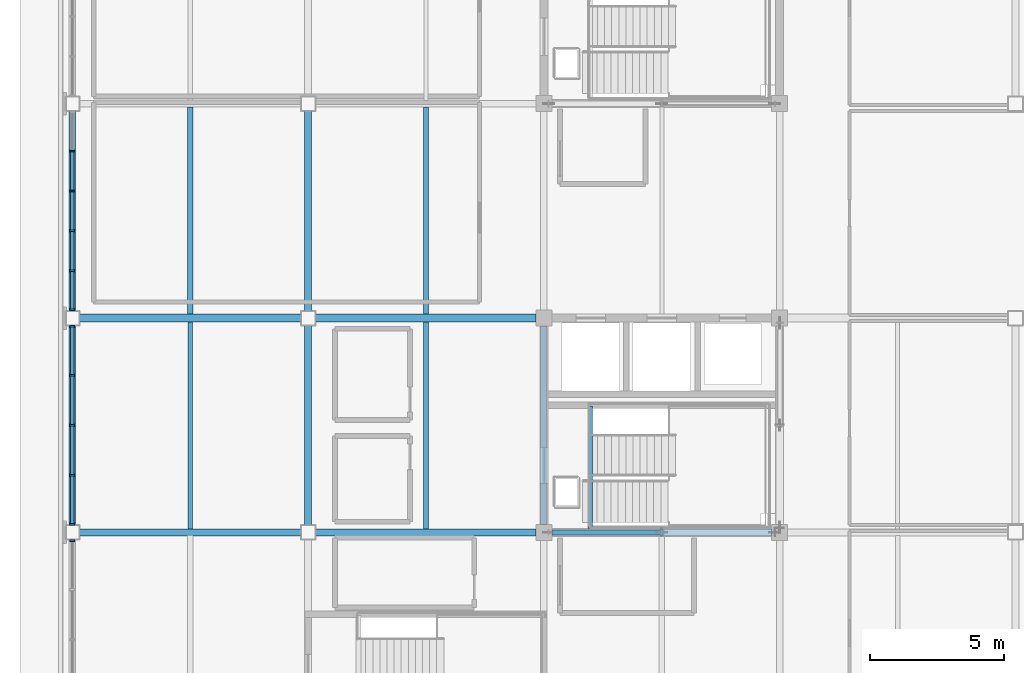
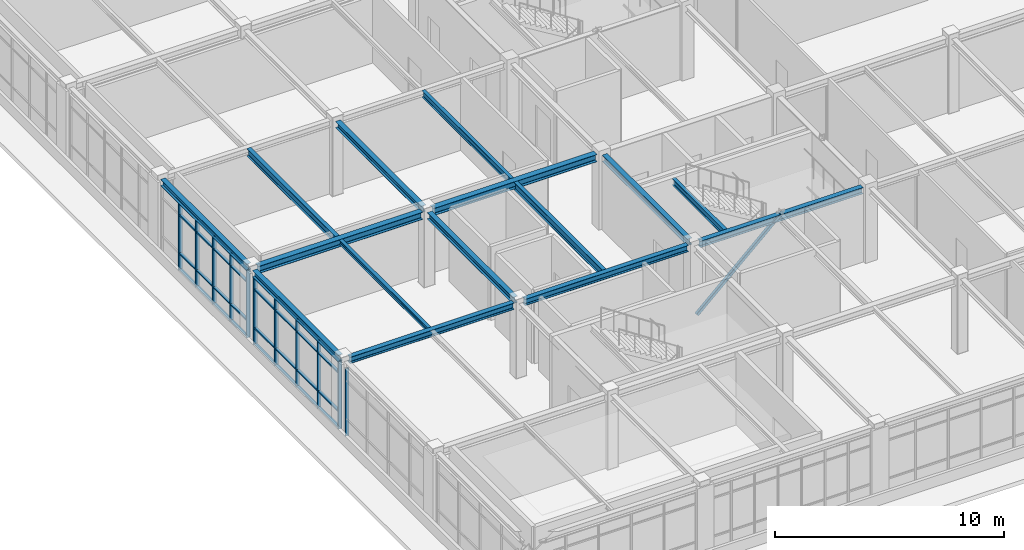
# One storey, part 9 of 64: 44 members, 15 beams, 3 elements without a shape of their own.
"""IFC4 building model written with IfcOpenShell, lengths in metres."""

from ifc_helpers import new_model, si_unit, direction, frame, origin, origin_2d, place, context, subcontext, project, spatial, rectangle, hollow_rectangle, i_section, extrude, material, material_profile, profile_set, type_object, element, aggregate, save


model = new_model("IFC4")

# Units and contexts
model_context = context("Model", 3, precision=1e-05, world=origin(), true_north=direction((0.0, 1.0)))
body_context = subcontext(model_context, "Body", "Model", "MODEL_VIEW")
ifc_project = project(units=[si_unit("LENGTHUNIT", "METRE"), si_unit("AREAUNIT", "SQUARE_METRE"), si_unit("VOLUMEUNIT", "CUBIC_METRE"), si_unit("PLANEANGLEUNIT", "RADIAN"), si_unit("MASSUNIT", "GRAM", prefix="KILO")], contexts=[model_context])

# Site, building, storey
site_placement = place(None, origin())
site = spatial("IfcSite", under=ifc_project, at=site_placement, CompositionType="ELEMENT")
building_placement = place(site_placement, origin())
building = spatial("IfcBuilding", under=site, at=building_placement, Name="Zhaolan Boulevard Law Courts", CompositionType="ELEMENT")
storey_placement = place(building_placement, frame((0.0, 0.0, 20.39990234375)))
storey = spatial("IfcBuildingStorey", under=building, at=storey_placement, Name="L04", CompositionType="ELEMENT", Elevation=20.39990234375)

# Member
ifc_material_1 = material(Name="Structural steel Q355B", Category="steel")
ifc_material_profile_1 = material_profile(ifc_material_1, hollow_rectangle(XDim=0.159912109375, YDim=0.159912109375, WallThickness=0.008056640625, InnerFilletRadius=0.008056640625, OuterFilletRadius=0.01611328125, at=origin_2d()), Name="HSS160x160x8")
ifc_profile_set_1 = profile_set([ifc_material_profile_1], Name="Structural steel Q355B")
member_type_1 = type_object("IfcMemberType", Name="BRACE HSS160", PredefinedType="BRACE", material=ifc_profile_set_1)
member_1_placement = place(storey_placement, frame((17.780029296875, 46.0, 0.030029296875), z_axis=(0.73525664892, 0.0, 0.677788802076), x_axis=(0.0, 1.0, 0.0)))
element("IfcMember", 1, at=member_1_placement, inside=storey, type_object=member_type_1, Name="Core Brace BR-W1-L04-S1", PredefinedType="BRACE", context=body_context, shape_type="SweptSolid", body=[
    extrude(hollow_rectangle(XDim=0.159912109375, YDim=0.159912109375, WallThickness=0.008056640625, InnerFilletRadius=0.008056640625, OuterFilletRadius=0.01611328125, at=origin_2d()), origin(), (0.0, 0.0, 1.0), 5.739501953125),
])

# Curtain wall, member
ifc_material_2 = material(Name="Thermally broken aluminium and low-E glazing", Category="aluminium")
curtain_wall_type_1 = type_object("IfcCurtainWallType", Name="CURTAIN WALL M23", PredefinedType="USERDEFINED", material=ifc_material_2)
curtain_wall_1_placement = place(storey_placement, origin())
curtain_wall_1 = element("IfcCurtainWall", 2, at=curtain_wall_1_placement, inside=storey, type_object=curtain_wall_type_1, Name="Curtain Wall CW-L04-191", ObjectType="CURTAIN WALL", PredefinedType="USERDEFINED")
ifc_material_3 = material(Name="Fluorocarbon-coated aluminium 6063-T6", Category="aluminium")
ifc_material_profile_2 = material_profile(ifc_material_3, rectangle(XDim=0.179931640625, YDim=0.06494140625, at=origin_2d()), Name="AL65x180")
ifc_profile_set_2 = profile_set([ifc_material_profile_2], Name="Fluorocarbon-coated aluminium 6063-T6")
member_type_2 = type_object("IfcMemberType", Name="CWMULLION 65X180", PredefinedType="MULLION", material=ifc_profile_set_2)
member_2_placement = place(storey_placement, frame((0.0, 45.6904296875, 0.0), z_axis=(0.0, 0.0, 1.0), x_axis=(1.0, 0.0, 0.0)))
member_2 = element("IfcMember", 3, at=member_2_placement, type_object=member_type_2, Name="CW-L04-191 mullion 1", PredefinedType="MULLION", context=body_context, shape_type="SweptSolid", body=[
    extrude(rectangle(XDim=0.179931640625, YDim=0.06494140625, at=origin_2d()), origin(), (0.0, 0.0, 1.0), 3.593017578125),
])
aggregate(curtain_wall_1, [member_2])

# Curtain wall, members
ifc_material_4 = material(Name="Thermally broken aluminium and low-E glazing", Category="aluminium")
curtain_wall_type_2 = type_object("IfcCurtainWallType", Name="CURTAIN WALL M24", PredefinedType="USERDEFINED", material=ifc_material_4)
curtain_wall_2_placement = place(storey_placement, origin())
curtain_wall_2 = element("IfcCurtainWall", 4, at=curtain_wall_2_placement, inside=storey, type_object=curtain_wall_type_2, Name="Curtain Wall CW-L04-192", ObjectType="CURTAIN WALL", PredefinedType="USERDEFINED")
member_3_placement = place(storey_placement, frame((0.0, 53.6904296875, 0.0), z_axis=(0.0, 0.0, 1.0), x_axis=(1.0, 0.0, 0.0)))
member_3 = element("IfcMember", 5, at=member_3_placement, type_object=member_type_2, Name="CW-L04-192 mullion 1", PredefinedType="MULLION", context=body_context, shape_type="SweptSolid", body=[
    extrude(rectangle(XDim=0.179931640625, YDim=0.06494140625, at=origin_2d()), origin(), (0.0, 0.0, 1.0), 3.593017578125),
])
member_4_placement = place(storey_placement, frame((0.0, 51.861572265625, 0.0), z_axis=(0.0, 0.0, 1.0), x_axis=(1.0, 0.0, 0.0)))
member_4 = element("IfcMember", 6, at=member_4_placement, type_object=member_type_2, Name="CW-L04-192 mullion 2", PredefinedType="MULLION", context=body_context, shape_type="SweptSolid", body=[
    extrude(rectangle(XDim=0.179931640625, YDim=0.06494140625, at=origin_2d()), origin(), (0.0, 0.0, 1.0), 3.593017578125),
])
member_5_placement = place(storey_placement, frame((0.0, 50.0, 0.0), z_axis=(0.0, 0.0, 1.0), x_axis=(1.0, 0.0, 0.0)))
member_5 = element("IfcMember", 7, at=member_5_placement, type_object=member_type_2, Name="CW-L04-192 mullion 3", PredefinedType="MULLION", context=body_context, shape_type="SweptSolid", body=[
    extrude(rectangle(XDim=0.179931640625, YDim=0.06494140625, at=origin_2d()), origin(), (0.0, 0.0, 1.0), 3.593017578125),
])
member_6_placement = place(storey_placement, frame((0.0, 48.138427734375, 0.0), z_axis=(0.0, 0.0, 1.0), x_axis=(1.0, 0.0, 0.0)))
member_6 = element("IfcMember", 8, at=member_6_placement, type_object=member_type_2, Name="CW-L04-192 mullion 4", PredefinedType="MULLION", context=body_context, shape_type="SweptSolid", body=[
    extrude(rectangle(XDim=0.179931640625, YDim=0.06494140625, at=origin_2d()), origin(), (0.0, 0.0, 1.0), 3.593017578125),
])
member_7_placement = place(storey_placement, frame((0.0, 46.3095703125, 0.0), z_axis=(0.0, 0.0, 1.0), x_axis=(1.0, 0.0, 0.0)))
member_7 = element("IfcMember", 9, at=member_7_placement, type_object=member_type_2, Name="CW-L04-192 mullion 5", PredefinedType="MULLION", context=body_context, shape_type="SweptSolid", body=[
    extrude(rectangle(XDim=0.179931640625, YDim=0.06494140625, at=origin_2d()), origin(), (0.0, 0.0, 1.0), 3.593017578125),
])

ifc_material_5 = material(Name="Thermally broken aluminium and low-E glazing", Category="aluminium")
curtain_wall_type_3 = type_object("IfcCurtainWallType", Name="CURTAIN WALL M1", PredefinedType="USERDEFINED", material=ifc_material_5)
curtain_wall_3_placement = place(storey_placement, origin())
curtain_wall_3 = element("IfcCurtainWall", 10, at=curtain_wall_3_placement, inside=storey, type_object=curtain_wall_type_3, Name="Curtain Wall CW-L04-193", ObjectType="CURTAIN WALL", PredefinedType="USERDEFINED")
member_8_placement = place(storey_placement, frame((0.0, 60.23388671875, 0.0), z_axis=(0.0, 0.0, 1.0), x_axis=(1.0, 0.0, 0.0)))
member_8 = element("IfcMember", 11, at=member_8_placement, type_object=member_type_2, Name="CW-L04-193 mullion 2", PredefinedType="MULLION", context=body_context, shape_type="SweptSolid", body=[
    extrude(rectangle(XDim=0.179931640625, YDim=0.06494140625, at=origin_2d()), origin(), (0.0, 0.0, 1.0), 3.593017578125),
])
member_9_placement = place(storey_placement, frame((0.0, 58.74462890625, 0.0), z_axis=(0.0, 0.0, 1.0), x_axis=(1.0, 0.0, 0.0)))
member_9 = element("IfcMember", 12, at=member_9_placement, type_object=member_type_2, Name="CW-L04-193 mullion 3", PredefinedType="MULLION", context=body_context, shape_type="SweptSolid", body=[
    extrude(rectangle(XDim=0.179931640625, YDim=0.06494140625, at=origin_2d()), origin(), (0.0, 0.0, 1.0), 3.593017578125),
])
member_10_placement = place(storey_placement, frame((0.0, 57.25537109375, 0.0), z_axis=(0.0, 0.0, 1.0), x_axis=(1.0, 0.0, 0.0)))
member_10 = element("IfcMember", 13, at=member_10_placement, type_object=member_type_2, Name="CW-L04-193 mullion 4", PredefinedType="MULLION", context=body_context, shape_type="SweptSolid", body=[
    extrude(rectangle(XDim=0.179931640625, YDim=0.06494140625, at=origin_2d()), origin(), (0.0, 0.0, 1.0), 3.593017578125),
])
member_11_placement = place(storey_placement, frame((0.0, 55.76611328125, 0.0), z_axis=(0.0, 0.0, 1.0), x_axis=(1.0, 0.0, 0.0)))
member_11 = element("IfcMember", 14, at=member_11_placement, type_object=member_type_2, Name="CW-L04-193 mullion 5", PredefinedType="MULLION", context=body_context, shape_type="SweptSolid", body=[
    extrude(rectangle(XDim=0.179931640625, YDim=0.06494140625, at=origin_2d()), origin(), (0.0, 0.0, 1.0), 3.593017578125),
])
member_12_placement = place(storey_placement, frame((0.0, 54.3095703125, 0.0), z_axis=(0.0, 0.0, 1.0), x_axis=(1.0, 0.0, 0.0)))
member_12 = element("IfcMember", 15, at=member_12_placement, type_object=member_type_2, Name="CW-L04-193 mullion 6", PredefinedType="MULLION", context=body_context, shape_type="SweptSolid", body=[
    extrude(rectangle(XDim=0.179931640625, YDim=0.06494140625, at=origin_2d()), origin(), (0.0, 0.0, 1.0), 3.593017578125),
])

# Member
ifc_material_6 = material(Name="Fluorocarbon-coated aluminium 6063-T6", Category="aluminium")
ifc_material_profile_3 = material_profile(ifc_material_6, rectangle(XDim=0.139892578125, YDim=0.06494140625, at=origin_2d()), Name="AL65x140")
ifc_profile_set_3 = profile_set([ifc_material_profile_3], Name="Fluorocarbon-coated aluminium 6063-T6")
member_type_3 = type_object("IfcMemberType", Name="CWTRANSOM 65X140", PredefinedType="USERDEFINED", material=ifc_profile_set_3)
member_13_placement = place(storey_placement, frame((0.0, 53.657958984375, 0.03271484375), z_axis=(0.0, -1.0, 0.0), x_axis=(1.0, 0.0, 0.0)))
member_13 = element("IfcMember", 16, at=member_13_placement, type_object=member_type_3, Name="CW-L04-192 transom 1.1", ObjectType="TRANSOM", PredefinedType="USERDEFINED", context=body_context, shape_type="SweptSolid", body=[
    extrude(rectangle(XDim=0.139892578125, YDim=0.06494140625, at=origin_2d()), origin(), (0.0, 0.0, 1.0), 1.763916015625),
])

member_14_placement = place(storey_placement, frame((0.0, 53.657958984375, 0.900146484375), z_axis=(0.0, -1.0, 0.0), x_axis=(1.0, 0.0, 0.0)))
member_14 = element("IfcMember", 17, at=member_14_placement, type_object=member_type_3, Name="CW-L04-192 transom 1.2", ObjectType="TRANSOM", PredefinedType="USERDEFINED", context=body_context, shape_type="SweptSolid", body=[
    extrude(rectangle(XDim=0.139892578125, YDim=0.06494140625, at=origin_2d()), origin(), (0.0, 0.0, 1.0), 1.763916015625),
])

member_15_placement = place(storey_placement, frame((0.0, 53.657958984375, 2.943115234375), z_axis=(0.0, -1.0, 0.0), x_axis=(1.0, 0.0, 0.0)))
member_15 = element("IfcMember", 18, at=member_15_placement, type_object=member_type_3, Name="CW-L04-192 transom 1.3", ObjectType="TRANSOM", PredefinedType="USERDEFINED", context=body_context, shape_type="SweptSolid", body=[
    extrude(rectangle(XDim=0.139892578125, YDim=0.06494140625, at=origin_2d()), origin(), (0.0, 0.0, 1.0), 1.763916015625),
])

member_16_placement = place(storey_placement, frame((0.0, 53.657958984375, 3.560546875), z_axis=(0.0, -1.0, 0.0), x_axis=(1.0, 0.0, 0.0)))
member_16 = element("IfcMember", 19, at=member_16_placement, type_object=member_type_3, Name="CW-L04-192 transom 1.4", ObjectType="TRANSOM", PredefinedType="USERDEFINED", context=body_context, shape_type="SweptSolid", body=[
    extrude(rectangle(XDim=0.139892578125, YDim=0.06494140625, at=origin_2d()), origin(), (0.0, 0.0, 1.0), 1.763916015625),
])

member_17_placement = place(storey_placement, frame((0.0, 51.8291015625, 0.03271484375), z_axis=(0.0, -1.0, 0.0), x_axis=(1.0, 0.0, 0.0)))
member_17 = element("IfcMember", 20, at=member_17_placement, type_object=member_type_3, Name="CW-L04-192 transom 2.1", ObjectType="TRANSOM", PredefinedType="USERDEFINED", context=body_context, shape_type="SweptSolid", body=[
    extrude(rectangle(XDim=0.139892578125, YDim=0.06494140625, at=origin_2d()), origin(), (0.0, 0.0, 1.0), 1.796630859375),
])

member_18_placement = place(storey_placement, frame((0.0, 51.8291015625, 0.900146484375), z_axis=(0.0, -1.0, 0.0), x_axis=(1.0, 0.0, 0.0)))
member_18 = element("IfcMember", 21, at=member_18_placement, type_object=member_type_3, Name="CW-L04-192 transom 2.2", ObjectType="TRANSOM", PredefinedType="USERDEFINED", context=body_context, shape_type="SweptSolid", body=[
    extrude(rectangle(XDim=0.139892578125, YDim=0.06494140625, at=origin_2d()), origin(), (0.0, 0.0, 1.0), 1.796630859375),
])

member_19_placement = place(storey_placement, frame((0.0, 51.8291015625, 2.943115234375), z_axis=(0.0, -1.0, 0.0), x_axis=(1.0, 0.0, 0.0)))
member_19 = element("IfcMember", 22, at=member_19_placement, type_object=member_type_3, Name="CW-L04-192 transom 2.3", ObjectType="TRANSOM", PredefinedType="USERDEFINED", context=body_context, shape_type="SweptSolid", body=[
    extrude(rectangle(XDim=0.139892578125, YDim=0.06494140625, at=origin_2d()), origin(), (0.0, 0.0, 1.0), 1.796630859375),
])

member_20_placement = place(storey_placement, frame((0.0, 51.8291015625, 3.560546875), z_axis=(0.0, -1.0, 0.0), x_axis=(1.0, 0.0, 0.0)))
member_20 = element("IfcMember", 23, at=member_20_placement, type_object=member_type_3, Name="CW-L04-192 transom 2.4", ObjectType="TRANSOM", PredefinedType="USERDEFINED", context=body_context, shape_type="SweptSolid", body=[
    extrude(rectangle(XDim=0.139892578125, YDim=0.06494140625, at=origin_2d()), origin(), (0.0, 0.0, 1.0), 1.796630859375),
])

member_21_placement = place(storey_placement, frame((0.0, 49.967529296875, 0.03271484375), z_axis=(0.0, -1.0, 0.0), x_axis=(1.0, 0.0, 0.0)))
member_21 = element("IfcMember", 24, at=member_21_placement, type_object=member_type_3, Name="CW-L04-192 transom 3.1", ObjectType="TRANSOM", PredefinedType="USERDEFINED", context=body_context, shape_type="SweptSolid", body=[
    extrude(rectangle(XDim=0.139892578125, YDim=0.06494140625, at=origin_2d()), origin(), (0.0, 0.0, 1.0), 1.796630859375),
])

member_22_placement = place(storey_placement, frame((0.0, 49.967529296875, 0.900146484375), z_axis=(0.0, -1.0, 0.0), x_axis=(1.0, 0.0, 0.0)))
member_22 = element("IfcMember", 25, at=member_22_placement, type_object=member_type_3, Name="CW-L04-192 transom 3.2", ObjectType="TRANSOM", PredefinedType="USERDEFINED", context=body_context, shape_type="SweptSolid", body=[
    extrude(rectangle(XDim=0.139892578125, YDim=0.06494140625, at=origin_2d()), origin(), (0.0, 0.0, 1.0), 1.796630859375),
])

member_23_placement = place(storey_placement, frame((0.0, 49.967529296875, 2.943115234375), z_axis=(0.0, -1.0, 0.0), x_axis=(1.0, 0.0, 0.0)))
member_23 = element("IfcMember", 26, at=member_23_placement, type_object=member_type_3, Name="CW-L04-192 transom 3.3", ObjectType="TRANSOM", PredefinedType="USERDEFINED", context=body_context, shape_type="SweptSolid", body=[
    extrude(rectangle(XDim=0.139892578125, YDim=0.06494140625, at=origin_2d()), origin(), (0.0, 0.0, 1.0), 1.796630859375),
])

member_24_placement = place(storey_placement, frame((0.0, 49.967529296875, 3.560546875), z_axis=(0.0, -1.0, 0.0), x_axis=(1.0, 0.0, 0.0)))
member_24 = element("IfcMember", 27, at=member_24_placement, type_object=member_type_3, Name="CW-L04-192 transom 3.4", ObjectType="TRANSOM", PredefinedType="USERDEFINED", context=body_context, shape_type="SweptSolid", body=[
    extrude(rectangle(XDim=0.139892578125, YDim=0.06494140625, at=origin_2d()), origin(), (0.0, 0.0, 1.0), 1.796630859375),
])

member_25_placement = place(storey_placement, frame((0.0, 48.10595703125, 0.03271484375), z_axis=(0.0, -1.0, 0.0), x_axis=(1.0, 0.0, 0.0)))
member_25 = element("IfcMember", 28, at=member_25_placement, type_object=member_type_3, Name="CW-L04-192 transom 4.1", ObjectType="TRANSOM", PredefinedType="USERDEFINED", context=body_context, shape_type="SweptSolid", body=[
    extrude(rectangle(XDim=0.139892578125, YDim=0.06494140625, at=origin_2d()), origin(), (0.0, 0.0, 1.0), 1.763916015625),
])

member_26_placement = place(storey_placement, frame((0.0, 48.10595703125, 0.900146484375), z_axis=(0.0, -1.0, 0.0), x_axis=(1.0, 0.0, 0.0)))
member_26 = element("IfcMember", 29, at=member_26_placement, type_object=member_type_3, Name="CW-L04-192 transom 4.2", ObjectType="TRANSOM", PredefinedType="USERDEFINED", context=body_context, shape_type="SweptSolid", body=[
    extrude(rectangle(XDim=0.139892578125, YDim=0.06494140625, at=origin_2d()), origin(), (0.0, 0.0, 1.0), 1.763916015625),
])

member_27_placement = place(storey_placement, frame((0.0, 48.10595703125, 2.943115234375), z_axis=(0.0, -1.0, 0.0), x_axis=(1.0, 0.0, 0.0)))
member_27 = element("IfcMember", 30, at=member_27_placement, type_object=member_type_3, Name="CW-L04-192 transom 4.3", ObjectType="TRANSOM", PredefinedType="USERDEFINED", context=body_context, shape_type="SweptSolid", body=[
    extrude(rectangle(XDim=0.139892578125, YDim=0.06494140625, at=origin_2d()), origin(), (0.0, 0.0, 1.0), 1.763916015625),
])

member_28_placement = place(storey_placement, frame((0.0, 48.10595703125, 3.560546875), z_axis=(0.0, -1.0, 0.0), x_axis=(1.0, 0.0, 0.0)))
member_28 = element("IfcMember", 31, at=member_28_placement, type_object=member_type_3, Name="CW-L04-192 transom 4.4", ObjectType="TRANSOM", PredefinedType="USERDEFINED", context=body_context, shape_type="SweptSolid", body=[
    extrude(rectangle(XDim=0.139892578125, YDim=0.06494140625, at=origin_2d()), origin(), (0.0, 0.0, 1.0), 1.763916015625),
])

aggregate(curtain_wall_2, [member_3, member_4, member_5, member_6, member_7, member_13, member_14, member_15, member_16, member_17, member_18, member_19, member_20, member_21, member_22, member_23, member_24, member_25, member_26, member_27, member_28])

member_29_placement = place(storey_placement, frame((0.0, 60.201416015625, 0.03271484375), z_axis=(0.0, -1.0, 0.0), x_axis=(1.0, 0.0, 0.0)))
member_29 = element("IfcMember", 32, at=member_29_placement, type_object=member_type_3, Name="CW-L04-193 transom 2.1", ObjectType="TRANSOM", PredefinedType="USERDEFINED", context=body_context, shape_type="SweptSolid", body=[
    extrude(rectangle(XDim=0.139892578125, YDim=0.06494140625, at=origin_2d()), origin(), (0.0, 0.0, 1.0), 1.42431640625),
])

member_30_placement = place(storey_placement, frame((0.0, 60.201416015625, 0.900146484375), z_axis=(0.0, -1.0, 0.0), x_axis=(1.0, 0.0, 0.0)))
member_30 = element("IfcMember", 33, at=member_30_placement, type_object=member_type_3, Name="CW-L04-193 transom 2.2", ObjectType="TRANSOM", PredefinedType="USERDEFINED", context=body_context, shape_type="SweptSolid", body=[
    extrude(rectangle(XDim=0.139892578125, YDim=0.06494140625, at=origin_2d()), origin(), (0.0, 0.0, 1.0), 1.42431640625),
])

member_31_placement = place(storey_placement, frame((0.0, 60.201416015625, 2.943115234375), z_axis=(0.0, -1.0, 0.0), x_axis=(1.0, 0.0, 0.0)))
member_31 = element("IfcMember", 34, at=member_31_placement, type_object=member_type_3, Name="CW-L04-193 transom 2.3", ObjectType="TRANSOM", PredefinedType="USERDEFINED", context=body_context, shape_type="SweptSolid", body=[
    extrude(rectangle(XDim=0.139892578125, YDim=0.06494140625, at=origin_2d()), origin(), (0.0, 0.0, 1.0), 1.42431640625),
])

member_32_placement = place(storey_placement, frame((0.0, 60.201416015625, 3.560546875), z_axis=(0.0, -1.0, 0.0), x_axis=(1.0, 0.0, 0.0)))
member_32 = element("IfcMember", 35, at=member_32_placement, type_object=member_type_3, Name="CW-L04-193 transom 2.4", ObjectType="TRANSOM", PredefinedType="USERDEFINED", context=body_context, shape_type="SweptSolid", body=[
    extrude(rectangle(XDim=0.139892578125, YDim=0.06494140625, at=origin_2d()), origin(), (0.0, 0.0, 1.0), 1.42431640625),
])

member_33_placement = place(storey_placement, frame((0.0, 58.712158203125, 0.03271484375), z_axis=(0.0, -1.0, 0.0), x_axis=(1.0, 0.0, 0.0)))
member_33 = element("IfcMember", 36, at=member_33_placement, type_object=member_type_3, Name="CW-L04-193 transom 3.1", ObjectType="TRANSOM", PredefinedType="USERDEFINED", context=body_context, shape_type="SweptSolid", body=[
    extrude(rectangle(XDim=0.139892578125, YDim=0.06494140625, at=origin_2d()), origin(), (0.0, 0.0, 1.0), 1.42431640625),
])

member_34_placement = place(storey_placement, frame((0.0, 58.712158203125, 0.900146484375), z_axis=(0.0, -1.0, 0.0), x_axis=(1.0, 0.0, 0.0)))
member_34 = element("IfcMember", 37, at=member_34_placement, type_object=member_type_3, Name="CW-L04-193 transom 3.2", ObjectType="TRANSOM", PredefinedType="USERDEFINED", context=body_context, shape_type="SweptSolid", body=[
    extrude(rectangle(XDim=0.139892578125, YDim=0.06494140625, at=origin_2d()), origin(), (0.0, 0.0, 1.0), 1.42431640625),
])

member_35_placement = place(storey_placement, frame((0.0, 58.712158203125, 2.943115234375), z_axis=(0.0, -1.0, 0.0), x_axis=(1.0, 0.0, 0.0)))
member_35 = element("IfcMember", 38, at=member_35_placement, type_object=member_type_3, Name="CW-L04-193 transom 3.3", ObjectType="TRANSOM", PredefinedType="USERDEFINED", context=body_context, shape_type="SweptSolid", body=[
    extrude(rectangle(XDim=0.139892578125, YDim=0.06494140625, at=origin_2d()), origin(), (0.0, 0.0, 1.0), 1.42431640625),
])

member_36_placement = place(storey_placement, frame((0.0, 58.712158203125, 3.560546875), z_axis=(0.0, -1.0, 0.0), x_axis=(1.0, 0.0, 0.0)))
member_36 = element("IfcMember", 39, at=member_36_placement, type_object=member_type_3, Name="CW-L04-193 transom 3.4", ObjectType="TRANSOM", PredefinedType="USERDEFINED", context=body_context, shape_type="SweptSolid", body=[
    extrude(rectangle(XDim=0.139892578125, YDim=0.06494140625, at=origin_2d()), origin(), (0.0, 0.0, 1.0), 1.42431640625),
])

member_37_placement = place(storey_placement, frame((0.0, 57.222900390625, 0.03271484375), z_axis=(0.0, -1.0, 0.0), x_axis=(1.0, 0.0, 0.0)))
member_37 = element("IfcMember", 40, at=member_37_placement, type_object=member_type_3, Name="CW-L04-193 transom 4.1", ObjectType="TRANSOM", PredefinedType="USERDEFINED", context=body_context, shape_type="SweptSolid", body=[
    extrude(rectangle(XDim=0.139892578125, YDim=0.06494140625, at=origin_2d()), origin(), (0.0, 0.0, 1.0), 1.42431640625),
])

member_38_placement = place(storey_placement, frame((0.0, 57.222900390625, 0.900146484375), z_axis=(0.0, -1.0, 0.0), x_axis=(1.0, 0.0, 0.0)))
member_38 = element("IfcMember", 41, at=member_38_placement, type_object=member_type_3, Name="CW-L04-193 transom 4.2", ObjectType="TRANSOM", PredefinedType="USERDEFINED", context=body_context, shape_type="SweptSolid", body=[
    extrude(rectangle(XDim=0.139892578125, YDim=0.06494140625, at=origin_2d()), origin(), (0.0, 0.0, 1.0), 1.42431640625),
])

member_39_placement = place(storey_placement, frame((0.0, 57.222900390625, 2.943115234375), z_axis=(0.0, -1.0, 0.0), x_axis=(1.0, 0.0, 0.0)))
member_39 = element("IfcMember", 42, at=member_39_placement, type_object=member_type_3, Name="CW-L04-193 transom 4.3", ObjectType="TRANSOM", PredefinedType="USERDEFINED", context=body_context, shape_type="SweptSolid", body=[
    extrude(rectangle(XDim=0.139892578125, YDim=0.06494140625, at=origin_2d()), origin(), (0.0, 0.0, 1.0), 1.42431640625),
])

member_40_placement = place(storey_placement, frame((0.0, 57.222900390625, 3.560546875), z_axis=(0.0, -1.0, 0.0), x_axis=(1.0, 0.0, 0.0)))
member_40 = element("IfcMember", 43, at=member_40_placement, type_object=member_type_3, Name="CW-L04-193 transom 4.4", ObjectType="TRANSOM", PredefinedType="USERDEFINED", context=body_context, shape_type="SweptSolid", body=[
    extrude(rectangle(XDim=0.139892578125, YDim=0.06494140625, at=origin_2d()), origin(), (0.0, 0.0, 1.0), 1.42431640625),
])

member_41_placement = place(storey_placement, frame((0.0, 55.733642578125, 0.03271484375), z_axis=(0.0, -1.0, 0.0), x_axis=(1.0, 0.0, 0.0)))
member_41 = element("IfcMember", 44, at=member_41_placement, type_object=member_type_3, Name="CW-L04-193 transom 5.1", ObjectType="TRANSOM", PredefinedType="USERDEFINED", context=body_context, shape_type="SweptSolid", body=[
    extrude(rectangle(XDim=0.139892578125, YDim=0.06494140625, at=origin_2d()), origin(), (0.0, 0.0, 1.0), 1.3916015625),
])

member_42_placement = place(storey_placement, frame((0.0, 55.733642578125, 0.900146484375), z_axis=(0.0, -1.0, 0.0), x_axis=(1.0, 0.0, 0.0)))
member_42 = element("IfcMember", 45, at=member_42_placement, type_object=member_type_3, Name="CW-L04-193 transom 5.2", ObjectType="TRANSOM", PredefinedType="USERDEFINED", context=body_context, shape_type="SweptSolid", body=[
    extrude(rectangle(XDim=0.139892578125, YDim=0.06494140625, at=origin_2d()), origin(), (0.0, 0.0, 1.0), 1.3916015625),
])

member_43_placement = place(storey_placement, frame((0.0, 55.733642578125, 2.943115234375), z_axis=(0.0, -1.0, 0.0), x_axis=(1.0, 0.0, 0.0)))
member_43 = element("IfcMember", 46, at=member_43_placement, type_object=member_type_3, Name="CW-L04-193 transom 5.3", ObjectType="TRANSOM", PredefinedType="USERDEFINED", context=body_context, shape_type="SweptSolid", body=[
    extrude(rectangle(XDim=0.139892578125, YDim=0.06494140625, at=origin_2d()), origin(), (0.0, 0.0, 1.0), 1.3916015625),
])

member_44_placement = place(storey_placement, frame((0.0, 55.733642578125, 3.560546875), z_axis=(0.0, -1.0, 0.0), x_axis=(1.0, 0.0, 0.0)))
member_44 = element("IfcMember", 47, at=member_44_placement, type_object=member_type_3, Name="CW-L04-193 transom 5.4", ObjectType="TRANSOM", PredefinedType="USERDEFINED", context=body_context, shape_type="SweptSolid", body=[
    extrude(rectangle(XDim=0.139892578125, YDim=0.06494140625, at=origin_2d()), origin(), (0.0, 0.0, 1.0), 1.3916015625),
])

aggregate(curtain_wall_3, [member_8, member_9, member_10, member_11, member_12, member_29, member_30, member_31, member_32, member_33, member_34, member_35, member_36, member_37, member_38, member_39, member_40, member_41, member_42, member_43, member_44])

# Beams
ifc_material_7 = material(Name="Structural steel Q355B", Category="steel")
ifc_material_profile_4 = material_profile(ifc_material_7, i_section(OverallWidth=0.25, OverallDepth=0.340087890625, WebThickness=0.009033203125, FlangeThickness=0.013916015625, FilletRadius=0.01611328125, at=origin_2d()), Name="HM340x250")
ifc_profile_set_4 = profile_set([ifc_material_profile_4], Name="Structural steel Q355B")
beam_type_1 = type_object("IfcBeamType", Name="GIRDER HM340", PredefinedType="BEAM", material=ifc_profile_set_4)
for number, where, z_axis, x_axis, name in (
    (48, (0.0, 46.27099609375, 3.778076171875), (0.0, 1.0, 0.0), (-1.0, 0.0, 0.0), "Beam BY-L05-1-G-H"),
    (49, (0.0, 54.27099609375, 3.778076171875), (0.0, 1.0, 0.0), (-1.0, 0.0, 0.0), "Beam BY-L05-1-H-J"),
    (50, (8.800048828125, 46.27099609375, 3.778076171875), (0.0, 1.0, 0.0), (-1.0, 0.0, 0.0), "Beam BY-L05-2-G-H"),
    (51, (8.800048828125, 54.27099609375, 3.778076171875), (0.0, 1.0, 0.0), (-1.0, 0.0, 0.0), "Beam BY-L05-2-H-J"),
):
    element("IfcBeam", number, at=place(storey_placement, frame(where, z_axis=z_axis, x_axis=x_axis)), inside=storey, type_object=beam_type_1, Name=name, PredefinedType="BEAM", context=body_context, shape_type="SweptSolid", body=[
        extrude(i_section(OverallWidth=0.25, OverallDepth=0.340087890625, WebThickness=0.009033203125, FlangeThickness=0.013916015625, FilletRadius=0.01611328125, at=origin_2d()), origin(), (0.0, 0.0, 1.0), 7.4580078125),
    ])
beam_1_placement = place(storey_placement, frame((17.60009765625, 46.2958984375, 3.778076171875), z_axis=(0.0, 1.0, 0.0), x_axis=(-1.0, 0.0, 0.0)))
element("IfcBeam", 52, at=beam_1_placement, inside=storey, type_object=beam_type_1, Name="Beam BY-L05-3-G-H", PredefinedType="BEAM", context=body_context, shape_type="SweptSolid", body=[
    extrude(i_section(OverallWidth=0.25, OverallDepth=0.340087890625, WebThickness=0.009033203125, FlangeThickness=0.013916015625, FilletRadius=0.01611328125, at=origin_2d()), origin(), (0.0, 0.0, 1.0), 7.408203125),
])
ifc_material_8 = material(Name="Structural steel Q355B", Category="steel")
ifc_material_profile_5 = material_profile(ifc_material_8, i_section(OverallWidth=0.300048828125, OverallDepth=0.389892578125, WebThickness=0.010009765625, FlangeThickness=0.01611328125, FilletRadius=0.01806640625, at=origin_2d()), Name="HM390x300")
ifc_profile_set_5 = profile_set([ifc_material_profile_5], Name="Structural steel Q355B")
beam_type_2 = type_object("IfcBeamType", Name="GIRDER HM390", PredefinedType="BEAM", material=ifc_profile_set_5)
beam_2_placement = place(storey_placement, frame((0.27099609375, 54.0, 3.753173828125), z_axis=(1.0, 0.0, 0.0), x_axis=(0.0, 1.0, 0.0)))
element("IfcBeam", 53, at=beam_2_placement, inside=storey, type_object=beam_type_2, Name="Beam BX-L05-1-2-H", PredefinedType="BEAM", context=body_context, shape_type="SweptSolid", body=[
    extrude(i_section(OverallWidth=0.300048828125, OverallDepth=0.389892578125, WebThickness=0.010009765625, FlangeThickness=0.01611328125, FilletRadius=0.01806640625, at=origin_2d()), origin(), (0.0, 0.0, 1.0), 8.258056640625),
])
beam_3_placement = place(storey_placement, frame((9.071044921875, 54.0, 3.753173828125), z_axis=(1.0, 0.0, 0.0), x_axis=(0.0, 1.0, 0.0)))
element("IfcBeam", 54, at=beam_3_placement, inside=storey, type_object=beam_type_2, Name="Beam BX-L05-2-3-H", PredefinedType="BEAM", context=body_context, shape_type="SweptSolid", body=[
    extrude(i_section(OverallWidth=0.300048828125, OverallDepth=0.389892578125, WebThickness=0.010009765625, FlangeThickness=0.01611328125, FilletRadius=0.01806640625, at=origin_2d()), origin(), (0.0, 0.0, 1.0), 8.23291015625),
])
ifc_material_9 = material(Name="Structural steel Q355B", Category="steel")
ifc_material_profile_6 = material_profile(ifc_material_9, i_section(OverallWidth=0.175048828125, OverallDepth=0.243896484375, WebThickness=0.007080078125, FlangeThickness=0.010986328125, FilletRadius=0.012939453125, at=origin_2d()), Name="HM244x175")
ifc_profile_set_6 = profile_set([ifc_material_profile_6], Name="Structural steel Q355B")
beam_type_3 = type_object("IfcBeamType", Name="JOIST HM244", PredefinedType="JOIST", material=ifc_profile_set_6)
beam_4_placement = place(storey_placement, frame((4.39990234375, 46.12109375, 3.826171875), z_axis=(0.0, 1.0, 0.0), x_axis=(-1.0, 0.0, 0.0)))
element("IfcBeam", 55, at=beam_4_placement, inside=storey, type_object=beam_type_3, Name="Composite Joist J-L05-1G", PredefinedType="JOIST", context=body_context, shape_type="SweptSolid", body=[
    extrude(i_section(OverallWidth=0.175048828125, OverallDepth=0.243896484375, WebThickness=0.007080078125, FlangeThickness=0.010986328125, FilletRadius=0.012939453125, at=origin_2d()), origin(), (0.0, 0.0, 1.0), 7.73291015625),
])
ifc_material_10 = material(Name="Structural steel Q355B", Category="steel")
ifc_material_profile_7 = material_profile(ifc_material_10, i_section(OverallWidth=0.175048828125, OverallDepth=0.35009765625, WebThickness=0.007080078125, FlangeThickness=0.010986328125, FilletRadius=0.012939453125, at=origin_2d()), Name="HN350x175")
ifc_profile_set_7 = profile_set([ifc_material_profile_7], Name="Structural steel Q355B")
beam_type_4 = type_object("IfcBeamType", Name="JOIST HN350", PredefinedType="JOIST", material=ifc_profile_set_7)
beam_5_placement = place(storey_placement, frame((13.199951171875, 54.14599609375, 3.773193359375), z_axis=(0.0, 1.0, 0.0), x_axis=(-1.0, 0.0, 0.0)))
element("IfcBeam", 56, at=beam_5_placement, inside=storey, type_object=beam_type_4, Name="Composite Joist J-L05-2H", PredefinedType="JOIST", context=body_context, shape_type="SweptSolid", body=[
    extrude(i_section(OverallWidth=0.175048828125, OverallDepth=0.35009765625, WebThickness=0.007080078125, FlangeThickness=0.010986328125, FilletRadius=0.012939453125, at=origin_2d()), origin(), (0.0, 0.0, 1.0), 7.73291015625),
])
ifc_material_11 = material(Name="Structural steel Q355B", Category="steel")
ifc_material_profile_8 = material_profile(ifc_material_11, i_section(OverallWidth=0.199951171875, OverallDepth=0.39990234375, WebThickness=0.008056640625, FlangeThickness=0.012939453125, FilletRadius=0.013916015625, at=origin_2d()), Name="HN400x200")
ifc_profile_set_8 = profile_set([ifc_material_profile_8], Name="Structural steel Q355B")
beam_type_5 = type_object("IfcBeamType", Name="JOIST HN400", PredefinedType="JOIST", material=ifc_profile_set_8)
for number, where, z_axis, x_axis, name in (
    (57, (4.39990234375, 54.14599609375, 3.748046875), (0.0, 1.0, 0.0), (-1.0, 0.0, 0.0), "Composite Joist J-L05-1H"),
    (58, (13.199951171875, 46.12109375, 3.748046875), (0.0, 1.0, 0.0), (-1.0, 0.0, 0.0), "Composite Joist J-L05-2G"),
):
    element("IfcBeam", number, at=place(storey_placement, frame(where, z_axis=z_axis, x_axis=x_axis)), inside=storey, type_object=beam_type_5, Name=name, PredefinedType="JOIST", context=body_context, shape_type="SweptSolid", body=[
        extrude(i_section(OverallWidth=0.199951171875, OverallDepth=0.39990234375, WebThickness=0.008056640625, FlangeThickness=0.012939453125, FilletRadius=0.013916015625, at=origin_2d()), origin(), (0.0, 0.0, 1.0), 7.73291015625),
    ])
ifc_material_12 = material(Name="Structural steel Q355B", Category="steel")
ifc_material_profile_9 = material_profile(ifc_material_12, i_section(OverallWidth=0.25, OverallDepth=0.340087890625, WebThickness=0.009033203125, FlangeThickness=0.013916015625, FilletRadius=0.01611328125, at=origin_2d()), Name="HM340x250")
ifc_profile_set_9 = profile_set([ifc_material_profile_9], Name="Structural steel Q355B")
beam_type_6 = type_object("IfcBeamType", Name="SPANDREL HM340", PredefinedType="SPANDREL", material=ifc_profile_set_9)
beam_6_placement = place(storey_placement, frame((0.27099609375, 46.0, 3.778076171875), z_axis=(1.0, 0.0, 0.0), x_axis=(0.0, 1.0, 0.0)))
element("IfcBeam", 59, at=beam_6_placement, inside=storey, type_object=beam_type_6, Name="Beam BX-L05-1-2-G", PredefinedType="SPANDREL", context=body_context, shape_type="SweptSolid", body=[
    extrude(i_section(OverallWidth=0.25, OverallDepth=0.340087890625, WebThickness=0.009033203125, FlangeThickness=0.013916015625, FilletRadius=0.01611328125, at=origin_2d()), origin(), (0.0, 0.0, 1.0), 8.258056640625),
])
beam_7_placement = place(storey_placement, frame((9.071044921875, 46.0, 3.778076171875), z_axis=(1.0, 0.0, 0.0), x_axis=(0.0, 1.0, 0.0)))
element("IfcBeam", 60, at=beam_7_placement, inside=storey, type_object=beam_type_6, Name="Beam BX-L05-2-3-G", PredefinedType="SPANDREL", context=body_context, shape_type="SweptSolid", body=[
    extrude(i_section(OverallWidth=0.25, OverallDepth=0.340087890625, WebThickness=0.009033203125, FlangeThickness=0.013916015625, FilletRadius=0.01611328125, at=origin_2d()), origin(), (0.0, 0.0, 1.0), 8.23291015625),
])
beam_8_placement = place(storey_placement, frame((17.89599609375, 46.0, 3.778076171875), z_axis=(1.0, 0.0, 0.0), x_axis=(0.0, 1.0, 0.0)))
element("IfcBeam", 61, at=beam_8_placement, inside=storey, type_object=beam_type_6, Name="Beam BX-L05-3-4-G", PredefinedType="SPANDREL", context=body_context, shape_type="SweptSolid", body=[
    extrude(i_section(OverallWidth=0.25, OverallDepth=0.340087890625, WebThickness=0.009033203125, FlangeThickness=0.013916015625, FilletRadius=0.01611328125, at=origin_2d()), origin(), (0.0, 0.0, 1.0), 8.2080078125),
])
ifc_material_13 = material(Name="Structural steel Q355B", Category="steel")
ifc_material_profile_10 = material_profile(ifc_material_13, i_section(OverallWidth=0.175048828125, OverallDepth=0.35009765625, WebThickness=0.007080078125, FlangeThickness=0.010986328125, FilletRadius=0.012939453125, at=origin_2d()), Name="HN350x175")
ifc_profile_set_10 = profile_set([ifc_material_profile_10], Name="Structural steel Q355B")
beam_type_7 = type_object("IfcBeamType", Name="STAIR TRIMMER HN350", PredefinedType="BEAM", material=ifc_profile_set_10)
beam_9_placement = place(storey_placement, frame((19.3349609375, 46.139892578125, 3.735107421875), z_axis=(0.0, 1.0, 0.0), x_axis=(-1.0, 0.0, 0.0)))
element("IfcBeam", 62, at=beam_9_placement, inside=storey, type_object=beam_type_7, Name="Stair Landing Trimmer Beam STB-ST01-L05", PredefinedType="BEAM", context=body_context, shape_type="SweptSolid", body=[
    extrude(i_section(OverallWidth=0.175048828125, OverallDepth=0.35009765625, WebThickness=0.007080078125, FlangeThickness=0.010986328125, FilletRadius=0.012939453125, at=origin_2d()), origin(), (0.0, 0.0, 1.0), 4.570068359375),
])

save(model, "model.ifc")
